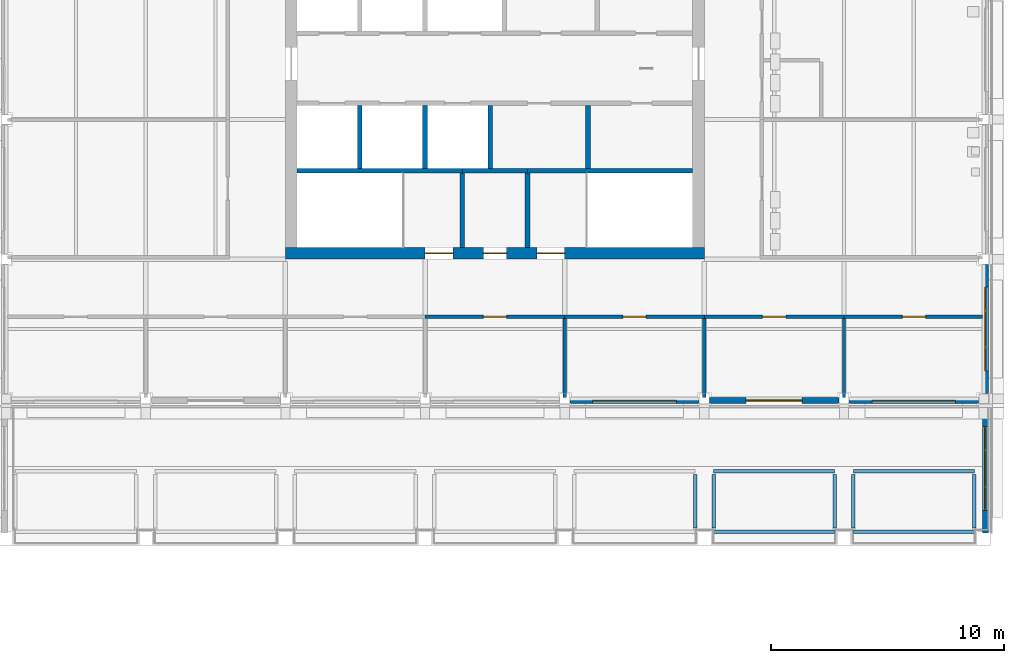
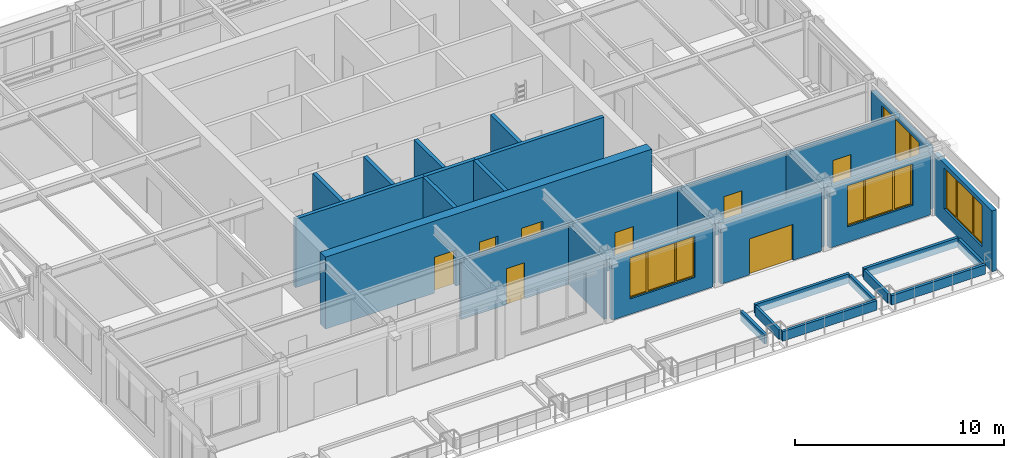
# One storey, part 59 of 82: 31 walls, 8 doors, 4 windows, 12 openings.
"""IFC4 building model written with IfcOpenShell, lengths in metres."""

import ifcopenshell
import ifcopenshell.guid

model = None  # the IFC model being written
_history = None  # IfcOwnerHistory: only IFC2X3 demands one
_inside = {}  # id of a spatial element -> (the spatial element, [elements in it])
_under = {}  # id of a project, library or spatial element -> (it, [spatial elements below it])
_declared = {}  # id of a project -> (the project, [libraries it declares])
_typed = {}  # id of a type object -> (the type object, [elements of that type])
_made_of = {}  # id of a material, layer set ... -> (it, [elements and type objects made of it])


def new_model(schema):
    """Start an empty IFC model of exactly this schema.

    Asked for "IFC4X3", IfcOpenShell would pick the latest addendum, in which some entities
    have other attributes; the version numbers below select the first issue.
    IFC2X3 requires an IfcOwnerHistory on every rooted entity: one is made here for all.
    """
    global model, _history
    if schema == "IFC4X3":
        model = ifcopenshell.file(schema_version=(4, 3, 0, 0))
    else:
        model = ifcopenshell.file(schema=schema)
    _inside.clear()
    _under.clear()
    _declared.clear()
    _typed.clear()
    _made_of.clear()
    _history = None
    if model.schema == "IFC2X3":
        org = make("IfcOrganization", Name="unknown")
        user = make(
            "IfcPersonAndOrganization",
            ThePerson=make("IfcPerson", FamilyName="unknown"),
            TheOrganization=org,
        )
        app = make(
            "IfcApplication",
            ApplicationDeveloper=org,
            Version="unknown",
            ApplicationFullName="unknown",
            ApplicationIdentifier="unknown",
        )
        _history = make(
            "IfcOwnerHistory",
            OwningUser=user,
            OwningApplication=app,
            ChangeAction="ADDED",
            CreationDate=0,
        )
    return model


def make(cls, **values):
    """One entity of the class cls with the attributes given. An attribute that is None is left unset."""
    return model.create_entity(
        cls, **{name: value for name, value in values.items() if value is not None}
    )


def rooted(cls, **values):
    """An entity with a GlobalId (a new one), such as an element, a storey or a relation."""
    return make(cls, GlobalId=ifcopenshell.guid.new(), OwnerHistory=_history, **values)


def si_unit(unit_type, name, prefix=None):
    """IfcSIUnit, for example si_unit("LENGTHUNIT", "METRE", prefix="MILLI")."""
    return make("IfcSIUnit", UnitType=unit_type, Prefix=prefix, Name=name)


def assignment(units):
    """IfcUnitAssignment: the units of a project."""
    return None if units is None else make("IfcUnitAssignment", Units=units)


def point(xyz):
    """IfcCartesianPoint."""
    return None if xyz is None else make("IfcCartesianPoint", Coordinates=xyz)


def direction(xyz):
    """IfcDirection."""
    return None if xyz is None else make("IfcDirection", DirectionRatios=xyz)


def frame(location, z_axis=None, x_axis=None):
    """IfcAxis2Placement3D, a coordinate frame: its origin and axes. An axis left out is left unset."""
    return make(
        "IfcAxis2Placement3D",
        Location=point(location),
        Axis=direction(z_axis),
        RefDirection=direction(x_axis),
    )


def frame_2d(location, x_axis=None):
    """IfcAxis2Placement2D, a coordinate frame in the plane: its origin and x axis."""
    return make(
        "IfcAxis2Placement2D", Location=point(location), RefDirection=direction(x_axis)
    )


def origin():
    """The frame at (0, 0, 0) with its axes left unset."""
    return frame((0.0, 0.0, 0.0))


def place(relative_to, where):
    """IfcLocalPlacement: puts the frame where relative to a parent placement (None: the world)."""
    return make(
        "IfcLocalPlacement", PlacementRelTo=relative_to, RelativePlacement=where
    )


def context(
    kind, dimensions, precision=None, world=None, true_north=None, identifier=None
):
    """IfcGeometricRepresentationContext, for example the 3D "Model" context."""
    return make(
        "IfcGeometricRepresentationContext",
        ContextIdentifier=identifier,
        ContextType=kind,
        CoordinateSpaceDimension=dimensions,
        Precision=precision,
        WorldCoordinateSystem=world,
        TrueNorth=true_north,
    )


def subcontext(parent, identifier, kind, view, scale=None):
    """IfcGeometricRepresentationSubContext, for example "Body" below "Model"."""
    return make(
        "IfcGeometricRepresentationSubContext",
        ContextIdentifier=identifier,
        ContextType=kind,
        ParentContext=parent,
        TargetScale=scale,
        TargetView=view,
    )


def project(units=None, contexts=None):
    """IfcProject with its units and contexts."""
    return rooted(
        "IfcProject",
        Name="project",
        RepresentationContexts=contexts,
        UnitsInContext=assignment(units),
    )


def spatial(cls, under=None, at=None, **own):
    """A site, building, storey or space (cls), placed at a placement, below another one or the project."""
    s = rooted(cls, ObjectPlacement=at, **own)
    if under is not None:
        _under.setdefault(under.id(), (under, []))[1].append(s)
    return s


def polyline(points):
    """IfcPolyline through the points."""
    return make("IfcPolyline", Points=[point(p) for p in points])


def profile(cls, at=None, kind="AREA", **sizes):
    """A parametric profile (cls). Its sizes go by their IFC names, for example OverallWidth=200.0."""
    return make(cls, ProfileType=kind, Position=at, **sizes)


def rectangle(**sizes):
    """IfcRectangleProfileDef."""
    return profile("IfcRectangleProfileDef", **sizes)


def outline(outer, holes=None, kind="AREA"):
    """IfcArbitraryClosedProfileDef: a profile drawn as a closed curve; with holes, ...WithVoids."""
    if holes is None:
        return make("IfcArbitraryClosedProfileDef", ProfileType=kind, OuterCurve=outer)
    return make(
        "IfcArbitraryProfileDefWithVoids",
        ProfileType=kind,
        OuterCurve=outer,
        InnerCurves=holes,
    )


def extrude(swept, where, along, depth):
    """IfcExtrudedAreaSolid: the profile swept, set in the frame where, extruded along a direction by depth."""
    return make(
        "IfcExtrudedAreaSolid",
        SweptArea=swept,
        Position=where,
        ExtrudedDirection=direction(along),
        Depth=depth,
    )


def shape(context_of_items, identifier, shape_type, items):
    """IfcShapeRepresentation: the items that make up one representation, for example the "Body"."""
    return make(
        "IfcShapeRepresentation",
        ContextOfItems=context_of_items,
        RepresentationIdentifier=identifier,
        RepresentationType=shape_type,
        Items=items,
    )


def material(Name=None, Category=None):
    """IfcMaterial."""
    return make("IfcMaterial", Name=Name, Category=Category)


def layer(
    of_material, thickness, ventilated=None, Name=None, Category=None, Priority=None
):
    """IfcMaterialLayer: one layer of a wall or slab, of a material (None: an air gap)."""
    return make(
        "IfcMaterialLayer",
        Material=of_material,
        LayerThickness=thickness,
        IsVentilated=ventilated,
        Name=Name,
        Category=Category,
        Priority=Priority,
    )


def layer_set(layers, Name=None):
    """IfcMaterialLayerSet."""
    return make("IfcMaterialLayerSet", MaterialLayers=layers, LayerSetName=Name)


def made_of(thing, what):
    """Note that an element or type object is made of a material, layer set ...; save() writes the relation."""
    if what is not None:
        _made_of.setdefault(what.id(), (what, []))[1].append(thing)
    return thing


def type_object(cls, material=None, **own):
    """A type object (cls), such as IfcWallType, which elements share."""
    return made_of(rooted(cls, **own), material)


def element(
    cls,
    number,
    at=None,
    inside=None,
    cuts=None,
    type_object=None,
    material=None,
    context=None,
    identifier="Body",
    shape_type=None,
    held_by="IfcProductDefinitionShape",
    body=None,
    shapes=None,
    **own,
):
    """One element of the class cls, such as IfcWall. Its Tag is "e" and its number.

    at: its placement. inside: the storey or other place that contains it. cuts: it is an
    opening in that element (IfcRelVoidsElement). A single representation is given by context,
    identifier, shape_type and body (its items); several are given by shapes. held_by: the class
    of the entity that holds the representations. save() writes the other relations.
    """
    e = rooted(cls, Tag="e%d" % number, ObjectPlacement=at, **own)
    if body is not None:
        shapes = [shape(context, identifier, shape_type, body)]
    if shapes is not None:
        e.Representation = make(held_by, Representations=shapes)
    if inside is not None:
        _inside.setdefault(inside.id(), (inside, []))[1].append(e)
    if cuts is not None:
        rooted(
            "IfcRelVoidsElement", RelatingBuildingElement=cuts, RelatedOpeningElement=e
        )
    if type_object is not None:
        _typed.setdefault(type_object.id(), (type_object, []))[1].append(e)
    return made_of(e, material)


def fill(opening, filler):
    """IfcRelFillsElement: the door or window that sits in an opening."""
    return rooted(
        "IfcRelFillsElement",
        RelatingOpeningElement=opening,
        RelatedBuildingElement=filler,
    )


def aggregate(whole, parts):
    """IfcRelAggregates: a whole, such as a stair, and the parts it consists of."""
    return rooted("IfcRelAggregates", RelatingObject=whole, RelatedObjects=parts)


def save(model, path):
    """Write the relations noted so far, then the file.

    IfcRelAggregates (storeys below a building ...), IfcRelContainedInSpatialStructure (elements
    in a storey), IfcRelDefinesByType, IfcRelAssociatesMaterial and IfcRelDeclares: one each for
    every whole, place, type object, material and project.
    """
    for whole, parts in _under.values():
        aggregate(whole, parts)
    for where, things in _inside.values():
        rooted(
            "IfcRelContainedInSpatialStructure",
            RelatedElements=things,
            RelatingStructure=where,
        )
    for kind, things in _typed.values():
        rooted("IfcRelDefinesByType", RelatedObjects=things, RelatingType=kind)
    for what, things in _made_of.values():
        rooted("IfcRelAssociatesMaterial", RelatedObjects=things, RelatingMaterial=what)
    for by, libraries in _declared.values():
        rooted("IfcRelDeclares", RelatingContext=by, RelatedDefinitions=libraries)
    model.write(path)


model = new_model("IFC4")

# Units and contexts
model_context = context("Model", 3, precision=1e-05, world=origin(), true_north=direction((0.0, 1.0)))
body_context = subcontext(model_context, "Body", "Model", "MODEL_VIEW")
ifc_project = project(units=[si_unit("LENGTHUNIT", "METRE"), si_unit("AREAUNIT", "SQUARE_METRE"), si_unit("VOLUMEUNIT", "CUBIC_METRE"), si_unit("PLANEANGLEUNIT", "RADIAN"), si_unit("MASSUNIT", "GRAM", prefix="KILO")], contexts=[model_context])

# Site, building, storey
site_placement = place(None, origin())
site = spatial("IfcSite", under=ifc_project, at=site_placement, CompositionType="ELEMENT")
building_placement = place(site_placement, origin())
building = spatial("IfcBuilding", under=site, at=building_placement, Name="Aravalli Gate Trade Fair Centre", CompositionType="ELEMENT")
storey_placement = place(building_placement, frame((0.0, 0.0, 19.199951171875)))
storey = spatial("IfcBuildingStorey", under=building, at=storey_placement, Name="L04", CompositionType="ELEMENT", Elevation=19.199951171875)

# Walls
ifc_material_1 = material(Name="Concrete M30", Category="concrete")
ifc_layer_1 = layer(ifc_material_1, 0.199951171875)
ifc_layer_set_1 = layer_set([ifc_layer_1], Name="Concrete M30")
wall_type_1 = type_object("IfcWallType", Name="Wing core internal wall 200 (EI 120, lift shaft)", PredefinedType="SOLIDWALL", material=ifc_layer_set_1)
wall_1_placement = place(storey_placement, frame((172.5, 106.800048828125, 0.0), z_axis=(0.0, 0.0, 1.0), x_axis=(1.0, 0.0, 0.0)))
element("IfcWall", 1, at=wall_1_placement, inside=storey, type_object=wall_type_1, Name="Core wall S-REAR-W L04", PredefinedType="SOLIDWALL", context=body_context, shape_type="SweptSolid", body=[
    extrude(rectangle(XDim=7.10009765625, YDim=0.199951171875, at=frame_2d((3.550048828125, 0.0))), origin(), (0.0, 0.0, 1.0), 4.0),
])
wall_2_placement = place(storey_placement, frame((179.60009765625, 106.800048828125, 0.0), z_axis=(0.0, 0.0, 1.0), x_axis=(1.0, 0.0, 0.0)))
element("IfcWall", 2, at=wall_2_placement, inside=storey, type_object=wall_type_1, Name="Core wall S-REAR-M L04", PredefinedType="SOLIDWALL", context=body_context, shape_type="SweptSolid", body=[
    extrude(rectangle(XDim=2.7998046875, YDim=0.199951171875, at=frame_2d((1.39990234375, 0.0))), origin(), (0.0, 0.0, 1.0), 4.0),
])
wall_3_placement = place(storey_placement, frame((182.39990234375, 106.800048828125, 0.0), z_axis=(0.0, 0.0, 1.0), x_axis=(1.0, 0.0, 0.0)))
element("IfcWall", 3, at=wall_3_placement, inside=storey, type_object=wall_type_1, Name="Core wall S-REAR-E L04", PredefinedType="SOLIDWALL", context=body_context, shape_type="SweptSolid", body=[
    extrude(rectangle(XDim=7.10009765625, YDim=0.199951171875, at=frame_2d((3.550048828125, 0.0))), origin(), (0.0, 0.0, 1.0), 4.0),
])
for number, where, z_axis, x_axis, name in (
    (4, (175.199951171875, 106.89990234375, 0.0), (0.0, 0.0, 1.0), (0.0, 1.0, 0.0), "Core wall SB-3.2 L04"),
    (5, (178.0, 106.89990234375, 0.0), (0.0, 0.0, 1.0), (0.0, 1.0, 0.0), "Core wall SB-6.0 L04"),
    (6, (180.800048828125, 106.89990234375, 0.0), (0.0, 0.0, 1.0), (0.0, 1.0, 0.0), "Core wall SB-8.8 L04"),
):
    element("IfcWall", number, at=place(storey_placement, frame(where, z_axis=z_axis, x_axis=x_axis)), inside=storey, type_object=wall_type_1, Name=name, PredefinedType="SOLIDWALL", context=body_context, shape_type="SweptSolid", body=[
        extrude(rectangle(XDim=2.7001953125, YDim=0.199951171875, at=frame_2d((1.35009765625, 0.0))), origin(), (0.0, 0.0, 1.0), 4.0),
    ])
ifc_material_2 = material(Name="Concrete block masonry", Category="masonry")
ifc_layer_2 = layer(ifc_material_2, 0.199951171875)
ifc_layer_set_2 = layer_set([ifc_layer_2], Name="Concrete block masonry")
wall_type_2 = type_object("IfcWallType", Name="Wing core internal wall 200 (EI 120, riser shaft)", PredefinedType="SOLIDWALL", material=ifc_layer_set_2)
wall_4_placement = place(storey_placement, frame((185.0, 106.89990234375, 0.0), z_axis=(0.0, 0.0, 1.0), x_axis=(0.0, 1.0, 0.0)))
element("IfcWall", 7, at=wall_4_placement, inside=storey, type_object=wall_type_2, Name="Core wall SB-13 L04", PredefinedType="SOLIDWALL", context=body_context, shape_type="SweptSolid", body=[
    extrude(rectangle(XDim=2.7001953125, YDim=0.199951171875, at=frame_2d((1.35009765625, 0.0))), origin(), (0.0, 0.0, 1.0), 4.0),
])
ifc_layer_3 = layer(ifc_material_1, 0.199951171875)
ifc_layer_set_3 = layer_set([ifc_layer_3], Name="Concrete M30")
wall_type_3 = type_object("IfcWallType", Name="Wing core internal wall 200 (EI 120, stair enclosure)", PredefinedType="SOLIDWALL", material=ifc_layer_set_3)
for number, where, z_axis, x_axis, name in (
    (8, (179.60009765625, 103.5, 0.0), (0.0, 0.0, 1.0), (0.0, 1.0, 0.0), "Core wall S-AB L04"),
    (9, (182.39990234375, 103.5, 0.0), (0.0, 0.0, 1.0), (0.0, 1.0, 0.0), "Core wall S-BC L04"),
):
    element("IfcWall", number, at=place(storey_placement, frame(where, z_axis=z_axis, x_axis=x_axis)), inside=storey, type_object=wall_type_3, Name=name, PredefinedType="SOLIDWALL", context=body_context, shape_type="SweptSolid", body=[
        extrude(rectangle(XDim=3.199951171875, YDim=0.199951171875, at=frame_2d((1.60009765625, 0.0))), origin(), (0.0, 0.0, 1.0), 4.0),
    ])

# Wall, openings, doors
ifc_material_3 = material(Name="Concrete M50", Category="concrete")
ifc_layer_4 = layer(ifc_material_3, 0.5)
ifc_layer_set_4 = layer_set([ifc_layer_4], Name="Concrete M50")
wall_type_4 = type_object("IfcWallType", Name="Wing core shear wall 500", PredefinedType="SHEAR", material=ifc_layer_set_4)
wall_5_placement = place(storey_placement, frame((172.0, 103.25, 0.0), z_axis=(0.0, 0.0, 1.0), x_axis=(1.0, 0.0, 0.0)))
wall_5 = element("IfcWall", 10, at=wall_5_placement, inside=storey, type_object=wall_type_4, Name="Core wall S L04", PredefinedType="SHEAR", context=body_context, shape_type="SweptSolid", body=[
    extrude(rectangle(XDim=18.0, YDim=0.5, at=frame_2d((9.0, 0.0))), origin(), (0.0, 0.0, 1.0), 4.199951171875),
])
opening_1_placement = place(wall_5_placement, frame((8.5, 0.0, 0.0)))
opening_1 = element("IfcOpeningElement", 11, at=opening_1_placement, cuts=wall_5, Name="Opening T-L04-102", PredefinedType="OPENING", context=body_context, shape_type="SweptSolid", body=[
    extrude(rectangle(XDim=1.0, YDim=2.10009765625, at=frame_2d((0.5, 1.050048828125))), frame((0.0, 0.260009765625, 0.0), z_axis=(0.0, -1.0, 0.0), x_axis=(1.0, 0.0, 0.0)), (0.0, 0.0, 1.0), 0.52001953125),
])
opening_2_placement = place(wall_5_placement, frame((6.0, 0.0, 0.0)))
opening_2 = element("IfcOpeningElement", 12, at=opening_2_placement, cuts=wall_5, Name="Opening T-L04-101", PredefinedType="OPENING", context=body_context, shape_type="SweptSolid", body=[
    extrude(rectangle(XDim=1.199951171875, YDim=2.10009765625, at=frame_2d((0.60009765625, 1.050048828125))), frame((0.0, 0.260009765625, 0.0), z_axis=(0.0, -1.0, 0.0), x_axis=(1.0, 0.0, 0.0)), (0.0, 0.0, 1.0), 0.52001953125),
])
opening_3_placement = place(wall_5_placement, frame((10.800048828125, 0.0, 0.0)))
opening_3 = element("IfcOpeningElement", 13, at=opening_3_placement, cuts=wall_5, Name="Opening T-L04-103", PredefinedType="OPENING", context=body_context, shape_type="SweptSolid", body=[
    extrude(rectangle(XDim=1.199951171875, YDim=2.10009765625, at=frame_2d((0.60009765625, 1.050048828125))), frame((0.0, 0.260009765625, 0.0), z_axis=(0.0, -1.0, 0.0), x_axis=(1.0, 0.0, 0.0)), (0.0, 0.0, 1.0), 0.52001953125),
])
ifc_material_4 = material(Name="Steel, fire rated", Category="steel")
door_type_1 = type_object("IfcDoorType", Name="Wing fire door FD120 1000 x 2100", OperationType="SINGLE_SWING_LEFT", PredefinedType="DOOR", material=ifc_material_4)
door_1_placement = place(opening_1_placement, origin())
door_1 = element("IfcDoor", 14, at=door_1_placement, inside=storey, type_object=door_type_1, Name="Core door T-L04-102", OperationType="SINGLE_SWING_LEFT", OverallHeight=2.10009765625, OverallWidth=1.0, PredefinedType="DOOR", context=body_context, shape_type="SweptSolid", body=[
    extrude(rectangle(XDim=1.0, YDim=2.10009765625, at=frame_2d((0.5, 1.050048828125))), frame((0.0, 0.02490234375, 0.0), z_axis=(0.0, -1.0, 0.0), x_axis=(1.0, 0.0, 0.0)), (0.0, 0.0, 1.0), 0.050048828125),
])
fill(opening_1, door_1)
door_type_2 = type_object("IfcDoorType", Name="Wing fire door FD120 1200 x 2100", OperationType="SINGLE_SWING_LEFT", PredefinedType="DOOR", material=ifc_material_4)
door_2_placement = place(opening_2_placement, origin())
door_2 = element("IfcDoor", 15, at=door_2_placement, inside=storey, type_object=door_type_2, Name="Core door T-L04-101", OperationType="SINGLE_SWING_RIGHT", OverallHeight=2.10009765625, OverallWidth=1.199951171875, PredefinedType="DOOR", context=body_context, shape_type="SweptSolid", body=[
    extrude(rectangle(XDim=1.199951171875, YDim=2.10009765625, at=frame_2d((0.60009765625, 1.050048828125))), frame((0.0, 0.02490234375, 0.0), z_axis=(0.0, -1.0, 0.0), x_axis=(1.0, 0.0, 0.0)), (0.0, 0.0, 1.0), 0.050048828125),
])
fill(opening_2, door_2)
door_3_placement = place(opening_3_placement, origin())
door_3 = element("IfcDoor", 16, at=door_3_placement, inside=storey, type_object=door_type_2, Name="Core door T-L04-103", OperationType="SINGLE_SWING_LEFT", OverallHeight=2.10009765625, OverallWidth=1.199951171875, PredefinedType="DOOR", context=body_context, shape_type="SweptSolid", body=[
    extrude(rectangle(XDim=1.199951171875, YDim=2.10009765625, at=frame_2d((0.60009765625, 1.050048828125))), frame((0.0, 0.02490234375, 0.0), z_axis=(0.0, -1.0, 0.0), x_axis=(1.0, 0.0, 0.0)), (0.0, 0.0, 1.0), 0.050048828125),
])
fill(opening_3, door_3)

# Wall, opening, door
ifc_material_5 = material(Name="Blockwork with fire-rated lining", Category="masonry")
ifc_layer_5 = layer(ifc_material_5, 0.14990234375)
ifc_layer_set_5 = layer_set([ifc_layer_5], Name="Blockwork with fire-rated lining")
wall_type_5 = type_object("IfcWallType", Name="Wing partition 150 (EI 60, corridor wall)", PredefinedType="PARTITIONING", material=ifc_layer_set_5)
wall_6_placement = place(storey_placement, frame((178.0, 100.52490234375, 0.0), z_axis=(0.0, 0.0, 1.0), x_axis=(1.0, 0.0, 0.0)))
wall_6 = element("IfcWall", 17, at=wall_6_placement, inside=storey, type_object=wall_type_5, Name="Partition SW4 L04", PredefinedType="PARTITIONING", context=body_context, shape_type="SweptSolid", body=[
    extrude(rectangle(XDim=6.0, YDim=0.14990234375, at=frame_2d((3.0, 0.0))), origin(), (0.0, 0.0, 1.0), 3.449951171875),
])
opening_4_placement = place(wall_6_placement, frame((2.5, 0.0, 0.0)))
opening_4 = element("IfcOpeningElement", 18, at=opening_4_placement, cuts=wall_6, Name="Opening T-L04-144", PredefinedType="OPENING", context=body_context, shape_type="SweptSolid", body=[
    extrude(rectangle(XDim=1.0, YDim=2.10009765625, at=frame_2d((0.5, 1.050048828125))), frame((0.0, 0.0849609375, 0.0), z_axis=(0.0, -1.0, 0.0), x_axis=(1.0, 0.0, 0.0)), (0.0, 0.0, 1.0), 0.169921875),
])
door_type_3 = type_object("IfcDoorType", Name="Wing fire door FD60 1000 x 2100", OperationType="SINGLE_SWING_LEFT", PredefinedType="DOOR", material=ifc_material_4)
door_4_placement = place(opening_4_placement, frame((1.0, 0.0, 0.0), z_axis=(0.0, 0.0, 1.0), x_axis=(-1.0, 0.0, 0.0)))
door_4 = element("IfcDoor", 19, at=door_4_placement, inside=storey, type_object=door_type_3, Name="Door T-L04-144", OperationType="SINGLE_SWING_LEFT", OverallHeight=2.10009765625, OverallWidth=1.0, PredefinedType="DOOR", context=body_context, shape_type="SweptSolid", body=[
    extrude(rectangle(XDim=1.0, YDim=2.10009765625, at=frame_2d((0.5, 1.050048828125))), frame((0.0, 0.02490234375, 0.0), z_axis=(0.0, -1.0, 0.0), x_axis=(1.0, 0.0, 0.0)), (0.0, 0.0, 1.0), 0.050048828125),
])
fill(opening_4, door_4)

# Wall
wall_7_placement = place(storey_placement, frame((184.0, 97.050048828125, 0.0), z_axis=(0.0, 0.0, 1.0), x_axis=(0.0, 1.0, 0.0)))
element("IfcWall", 20, at=wall_7_placement, inside=storey, type_object=wall_type_5, Name="Partition SP4 L04", PredefinedType="PARTITIONING", context=body_context, shape_type="SweptSolid", body=[
    extrude(rectangle(XDim=3.39990234375, YDim=0.14990234375, at=frame_2d((1.699951171875, 0.0))), origin(), (0.0, 0.0, 1.0), 3.449951171875),
])

# Wall, opening, door
wall_8_placement = place(storey_placement, frame((184.0, 100.52490234375, 0.0), z_axis=(0.0, 0.0, 1.0), x_axis=(1.0, 0.0, 0.0)))
wall_8 = element("IfcWall", 21, at=wall_8_placement, inside=storey, type_object=wall_type_5, Name="Partition SW5 L04", PredefinedType="PARTITIONING", context=body_context, shape_type="SweptSolid", body=[
    extrude(rectangle(XDim=6.0, YDim=0.14990234375, at=frame_2d((3.0, 0.0))), origin(), (0.0, 0.0, 1.0), 3.449951171875),
])
opening_5_placement = place(wall_8_placement, frame((2.5, 0.0, 0.0)))
opening_5 = element("IfcOpeningElement", 22, at=opening_5_placement, cuts=wall_8, Name="Opening T-L04-145", PredefinedType="OPENING", context=body_context, shape_type="SweptSolid", body=[
    extrude(rectangle(XDim=1.0, YDim=2.10009765625, at=frame_2d((0.5, 1.050048828125))), frame((0.0, 0.0849609375, 0.0), z_axis=(0.0, -1.0, 0.0), x_axis=(1.0, 0.0, 0.0)), (0.0, 0.0, 1.0), 0.169921875),
])
door_5_placement = place(opening_5_placement, frame((1.0, 0.0, 0.0), z_axis=(0.0, 0.0, 1.0), x_axis=(-1.0, 0.0, 0.0)))
door_5 = element("IfcDoor", 23, at=door_5_placement, inside=storey, type_object=door_type_3, Name="Door T-L04-145", OperationType="SINGLE_SWING_RIGHT", OverallHeight=2.10009765625, OverallWidth=1.0, PredefinedType="DOOR", context=body_context, shape_type="SweptSolid", body=[
    extrude(rectangle(XDim=1.0, YDim=2.10009765625, at=frame_2d((0.5, 1.050048828125))), frame((0.0, 0.02490234375, 0.0), z_axis=(0.0, -1.0, 0.0), x_axis=(1.0, 0.0, 0.0)), (0.0, 0.0, 1.0), 0.050048828125),
])
fill(opening_5, door_5)

# Wall
wall_9_placement = place(storey_placement, frame((190.0, 97.050048828125, 0.0), z_axis=(0.0, 0.0, 1.0), x_axis=(0.0, 1.0, 0.0)))
element("IfcWall", 24, at=wall_9_placement, inside=storey, type_object=wall_type_5, Name="Partition SP5 L04", PredefinedType="PARTITIONING", context=body_context, shape_type="SweptSolid", body=[
    extrude(rectangle(XDim=3.39990234375, YDim=0.14990234375, at=frame_2d((1.699951171875, 0.0))), origin(), (0.0, 0.0, 1.0), 3.449951171875),
])

# Wall, opening, door
wall_10_placement = place(storey_placement, frame((190.0, 100.52490234375, 0.0), z_axis=(0.0, 0.0, 1.0), x_axis=(1.0, 0.0, 0.0)))
wall_10 = element("IfcWall", 25, at=wall_10_placement, inside=storey, type_object=wall_type_5, Name="Partition SW6 L04", PredefinedType="PARTITIONING", context=body_context, shape_type="SweptSolid", body=[
    extrude(rectangle(XDim=6.0, YDim=0.14990234375, at=frame_2d((3.0, 0.0))), origin(), (0.0, 0.0, 1.0), 3.449951171875),
])
opening_6_placement = place(wall_10_placement, frame((2.5, 0.0, 0.0)))
opening_6 = element("IfcOpeningElement", 26, at=opening_6_placement, cuts=wall_10, Name="Opening T-L04-146", PredefinedType="OPENING", context=body_context, shape_type="SweptSolid", body=[
    extrude(rectangle(XDim=1.0, YDim=2.10009765625, at=frame_2d((0.5, 1.050048828125))), frame((0.0, 0.0849609375, 0.0), z_axis=(0.0, -1.0, 0.0), x_axis=(1.0, 0.0, 0.0)), (0.0, 0.0, 1.0), 0.169921875),
])
door_6_placement = place(opening_6_placement, frame((1.0, 0.0, 0.0), z_axis=(0.0, 0.0, 1.0), x_axis=(-1.0, 0.0, 0.0)))
door_6 = element("IfcDoor", 27, at=door_6_placement, inside=storey, type_object=door_type_3, Name="Door T-L04-146", OperationType="SINGLE_SWING_LEFT", OverallHeight=2.10009765625, OverallWidth=1.0, PredefinedType="DOOR", context=body_context, shape_type="SweptSolid", body=[
    extrude(rectangle(XDim=1.0, YDim=2.10009765625, at=frame_2d((0.5, 1.050048828125))), frame((0.0, 0.02490234375, 0.0), z_axis=(0.0, -1.0, 0.0), x_axis=(1.0, 0.0, 0.0)), (0.0, 0.0, 1.0), 0.050048828125),
])
fill(opening_6, door_6)

# Wall
wall_11_placement = place(storey_placement, frame((196.0, 97.050048828125, 0.0), z_axis=(0.0, 0.0, 1.0), x_axis=(0.0, 1.0, 0.0)))
element("IfcWall", 28, at=wall_11_placement, inside=storey, type_object=wall_type_5, Name="Partition SP6 L04", PredefinedType="PARTITIONING", context=body_context, shape_type="SweptSolid", body=[
    extrude(rectangle(XDim=3.39990234375, YDim=0.14990234375, at=frame_2d((1.699951171875, 0.0))), origin(), (0.0, 0.0, 1.0), 3.449951171875),
])

# Wall, opening, door
wall_12_placement = place(storey_placement, frame((196.0, 100.52490234375, 0.0), z_axis=(0.0, 0.0, 1.0), x_axis=(1.0, 0.0, 0.0)))
wall_12 = element("IfcWall", 29, at=wall_12_placement, inside=storey, type_object=wall_type_5, Name="Partition SW7 L04", PredefinedType="PARTITIONING", context=body_context, shape_type="SweptSolid", body=[
    extrude(rectangle(XDim=5.949951171875, YDim=0.14990234375, at=frame_2d((2.97509765625, 0.0))), origin(), (0.0, 0.0, 1.0), 3.449951171875),
])
opening_7_placement = place(wall_12_placement, frame((2.512451171875, 0.0, 0.0)))
opening_7 = element("IfcOpeningElement", 30, at=opening_7_placement, cuts=wall_12, Name="Opening T-L04-147", PredefinedType="OPENING", context=body_context, shape_type="SweptSolid", body=[
    extrude(rectangle(XDim=1.0, YDim=2.10009765625, at=frame_2d((0.5, 1.050048828125))), frame((0.0, 0.0849609375, 0.0), z_axis=(0.0, -1.0, 0.0), x_axis=(1.0, 0.0, 0.0)), (0.0, 0.0, 1.0), 0.169921875),
])
door_7_placement = place(opening_7_placement, frame((1.0, 0.0, 0.0), z_axis=(0.0, 0.0, 1.0), x_axis=(-1.0, 0.0, 0.0)))
door_7 = element("IfcDoor", 31, at=door_7_placement, inside=storey, type_object=door_type_3, Name="Door T-L04-147", OperationType="SINGLE_SWING_RIGHT", OverallHeight=2.10009765625, OverallWidth=1.0, PredefinedType="DOOR", context=body_context, shape_type="SweptSolid", body=[
    extrude(rectangle(XDim=1.0, YDim=2.10009765625, at=frame_2d((0.5, 1.050048828125))), frame((0.0, 0.02490234375, 0.0), z_axis=(0.0, -1.0, 0.0), x_axis=(1.0, 0.0, 0.0)), (0.0, 0.0, 1.0), 0.050048828125),
])
fill(opening_7, door_7)

# Walls
ifc_layer_6 = layer(ifc_material_1, 0.14990234375)
ifc_layer_set_6 = layer_set([ifc_layer_6], Name="Concrete M30")
wall_type_6 = type_object("IfcWallType", Name="Wing planter wall 150", PredefinedType="SOLIDWALL", material=ifc_layer_set_6)
wall_13_placement = place(storey_placement, frame((189.60009765625, 91.445068359375, 0.0), z_axis=(0.0, 0.0, 1.0), x_axis=(0.0, 1.0, 0.0)))
element("IfcWall", 32, at=wall_13_placement, inside=storey, type_object=wall_type_6, Name="Planter wall L04 5E", PredefinedType="SOLIDWALL", context=body_context, shape_type="SweptSolid", body=[
    extrude(rectangle(XDim=2.300048828125, YDim=0.14990234375, at=frame_2d((1.14990234375, 0.0))), origin(), (0.0, 0.0, 1.0), 0.550048828125),
])
for number, where, z_axis, x_axis, name in (
    (33, (190.39990234375, 91.294921875, 0.0), (0.0, 0.0, 1.0), (1.0, 0.0, 0.0), "Planter wall L04 6S"),
    (34, (190.39990234375, 93.89501953125, 0.0), (0.0, 0.0, 1.0), (1.0, 0.0, 0.0), "Planter wall L04 6N"),
):
    element("IfcWall", number, at=place(storey_placement, frame(where, z_axis=z_axis, x_axis=x_axis)), inside=storey, type_object=wall_type_6, Name=name, PredefinedType="SOLIDWALL", context=body_context, shape_type="SweptSolid", body=[
        extrude(rectangle(XDim=5.2001953125, YDim=0.14990234375, at=frame_2d((2.60009765625, 0.0))), origin(), (0.0, 0.0, 1.0), 0.550048828125),
    ])
for number, where, z_axis, x_axis, name in (
    (35, (190.39990234375, 91.445068359375, 0.0), (0.0, 0.0, 1.0), (0.0, 1.0, 0.0), "Planter wall L04 6W"),
    (36, (195.60009765625, 91.445068359375, 0.0), (0.0, 0.0, 1.0), (0.0, 1.0, 0.0), "Planter wall L04 6E"),
):
    element("IfcWall", number, at=place(storey_placement, frame(where, z_axis=z_axis, x_axis=x_axis)), inside=storey, type_object=wall_type_6, Name=name, PredefinedType="SOLIDWALL", context=body_context, shape_type="SweptSolid", body=[
        extrude(rectangle(XDim=2.300048828125, YDim=0.14990234375, at=frame_2d((1.14990234375, 0.0))), origin(), (0.0, 0.0, 1.0), 0.550048828125),
    ])
for number, where, z_axis, x_axis, name in (
    (37, (196.39990234375, 91.294921875, 0.0), (0.0, 0.0, 1.0), (1.0, 0.0, 0.0), "Planter wall L04 7S"),
    (38, (196.39990234375, 93.89501953125, 0.0), (0.0, 0.0, 1.0), (1.0, 0.0, 0.0), "Planter wall L04 7N"),
):
    element("IfcWall", number, at=place(storey_placement, frame(where, z_axis=z_axis, x_axis=x_axis)), inside=storey, type_object=wall_type_6, Name=name, PredefinedType="SOLIDWALL", context=body_context, shape_type="SweptSolid", body=[
        extrude(rectangle(XDim=5.2001953125, YDim=0.14990234375, at=frame_2d((2.60009765625, 0.0))), origin(), (0.0, 0.0, 1.0), 0.550048828125),
    ])
for number, where, z_axis, x_axis, name in (
    (39, (196.39990234375, 91.445068359375, 0.0), (0.0, 0.0, 1.0), (0.0, 1.0, 0.0), "Planter wall L04 7W"),
    (40, (201.60009765625, 91.445068359375, 0.0), (0.0, 0.0, 1.0), (0.0, 1.0, 0.0), "Planter wall L04 7E"),
):
    element("IfcWall", number, at=place(storey_placement, frame(where, z_axis=z_axis, x_axis=x_axis)), inside=storey, type_object=wall_type_6, Name=name, PredefinedType="SOLIDWALL", context=body_context, shape_type="SweptSolid", body=[
        extrude(rectangle(XDim=2.300048828125, YDim=0.14990234375, at=frame_2d((1.14990234375, 0.0))), origin(), (0.0, 0.0, 1.0), 0.550048828125),
    ])

# Wall, opening, window
ifc_layer_7 = layer(ifc_material_2, 0.2099609375, Name="Block masonry")
ifc_material_6 = material(Name="Terracotta cladding", Category="masonry")
ifc_layer_8 = layer(ifc_material_6, 0.0400390625, Name="Terracotta cladding")
ifc_layer_set_7 = layer_set([ifc_layer_7, ifc_layer_8], Name="Wing terracotta clad infill wall 250")
wall_type_7 = type_object("IfcWallType", Name="Wing terracotta clad infill wall 250", PredefinedType="SOLIDWALL", material=ifc_layer_set_7)
wall_14_placement = place(storey_placement, frame((184.22509765625, 96.925048828125, 0.0), z_axis=(0.0, 0.0, 1.0), x_axis=(1.0, 0.0, 0.0)))
wall_14 = element("IfcWall", 41, at=wall_14_placement, inside=storey, type_object=wall_type_7, Name="Facade wall S4 L04", PredefinedType="SOLIDWALL", context=body_context, shape_type="SweptSolid", body=[
    extrude(rectangle(XDim=5.5498046875, YDim=0.25, at=frame_2d((2.77490234375, 0.0))), origin(), (0.0, 0.0, 1.0), 3.550048828125),
])
opening_8_placement = place(wall_14_placement, frame((0.97509765625, 0.0, 0.89990234375)))
opening_8 = element("IfcOpeningElement", 42, at=opening_8_placement, cuts=wall_14, Name="Opening TWN1", PredefinedType="OPENING", context=body_context, shape_type="SweptSolid", body=[
    extrude(rectangle(XDim=3.60009765625, YDim=2.39990234375, at=frame_2d((1.800048828125, 1.199951171875))), frame((0.0, 0.135009765625, 0.0), z_axis=(0.0, -1.0, 0.0), x_axis=(1.0, 0.0, 0.0)), (0.0, 0.0, 1.0), 0.27001953125),
])
ifc_material_7 = material(Name="Aluminium and glass", Category="aluminium")
window_type = type_object("IfcWindowType", Name="Wing chicago window 3600 x 2400", PartitioningType="TRIPLE_PANEL_VERTICAL", PredefinedType="WINDOW", material=ifc_material_7)
window_1_placement = place(opening_8_placement, origin())
window_1 = element("IfcWindow", 43, at=window_1_placement, inside=storey, type_object=window_type, Name="Window S4 L04", OverallHeight=2.39990234375, OverallWidth=3.60009765625, PartitioningType="TRIPLE_PANEL_VERTICAL", PredefinedType="WINDOW", context=body_context, shape_type="SweptSolid", body=[
    extrude(outline(polyline([(0.0, 0.0), (3.60009765625, 0.0), (3.60009765625, 2.39990234375), (0.0, 2.39990234375), (0.0, 0.0)]), holes=[polyline([(0.06005859375, 0.06005859375), (0.9599609375, 0.06005859375), (0.9599609375, 2.33984375), (0.06005859375, 2.33984375), (0.06005859375, 0.06005859375)]), polyline([(1.06005859375, 0.06005859375), (2.539794921875, 0.06005859375), (2.539794921875, 2.33984375), (1.06005859375, 2.33984375), (1.06005859375, 0.06005859375)]), polyline([(2.639892578125, 0.06005859375), (3.539794921875, 0.06005859375), (3.539794921875, 2.33984375), (2.639892578125, 2.33984375), (2.639892578125, 0.06005859375)])]), frame((0.0, 0.030029296875, 0.0), z_axis=(0.0, -1.0, 0.0), x_axis=(1.0, 0.0, 0.0)), (0.0, 0.0, 1.0), 0.06005859375),
    extrude(rectangle(XDim=0.923828125, YDim=2.3037109375, at=frame_2d((0.510009765625, 1.199951171875))), frame((0.0, 0.010009765625, 0.0), z_axis=(0.0, -1.0, 0.0), x_axis=(1.0, 0.0, 0.0)), (0.0, 0.0, 1.0), 0.02001953125),
    extrude(rectangle(XDim=1.503662109375, YDim=2.3037109375, at=frame_2d((1.7998046875, 1.199951171875))), frame((0.0, 0.010009765625, 0.0), z_axis=(0.0, -1.0, 0.0), x_axis=(1.0, 0.0, 0.0)), (0.0, 0.0, 1.0), 0.02001953125),
    extrude(rectangle(XDim=0.923828125, YDim=2.3037109375, at=frame_2d((3.08984375, 1.199951171875))), frame((0.0, 0.010009765625, 0.0), z_axis=(0.0, -1.0, 0.0), x_axis=(1.0, 0.0, 0.0)), (0.0, 0.0, 1.0), 0.02001953125),
])
fill(opening_8, window_1)

wall_15_placement = place(storey_placement, frame((196.22509765625, 96.925048828125, 0.0), z_axis=(0.0, 0.0, 1.0), x_axis=(1.0, 0.0, 0.0)))
wall_15 = element("IfcWall", 44, at=wall_15_placement, inside=storey, type_object=wall_type_7, Name="Facade wall S6 L04", PredefinedType="SOLIDWALL", context=body_context, shape_type="SweptSolid", body=[
    extrude(rectangle(XDim=5.5498046875, YDim=0.25, at=frame_2d((2.77490234375, 0.0))), origin(), (0.0, 0.0, 1.0), 3.550048828125),
])
opening_9_placement = place(wall_15_placement, frame((0.97509765625, 0.0, 0.89990234375)))
opening_9 = element("IfcOpeningElement", 45, at=opening_9_placement, cuts=wall_15, Name="Opening TWN1", PredefinedType="OPENING", context=body_context, shape_type="SweptSolid", body=[
    extrude(rectangle(XDim=3.60009765625, YDim=2.39990234375, at=frame_2d((1.800048828125, 1.199951171875))), frame((0.0, 0.135009765625, 0.0), z_axis=(0.0, -1.0, 0.0), x_axis=(1.0, 0.0, 0.0)), (0.0, 0.0, 1.0), 0.27001953125),
])
window_2_placement = place(opening_9_placement, origin())
window_2 = element("IfcWindow", 46, at=window_2_placement, inside=storey, type_object=window_type, Name="Window S6 L04", OverallHeight=2.39990234375, OverallWidth=3.60009765625, PartitioningType="TRIPLE_PANEL_VERTICAL", PredefinedType="WINDOW", context=body_context, shape_type="SweptSolid", body=[
    extrude(outline(polyline([(0.0, 0.0), (3.60009765625, 0.0), (3.60009765625, 2.39990234375), (0.0, 2.39990234375), (0.0, 0.0)]), holes=[polyline([(0.06005859375, 0.06005859375), (0.9599609375, 0.06005859375), (0.9599609375, 2.33984375), (0.06005859375, 2.33984375), (0.06005859375, 0.06005859375)]), polyline([(1.06005859375, 0.06005859375), (2.539794921875, 0.06005859375), (2.539794921875, 2.33984375), (1.06005859375, 2.33984375), (1.06005859375, 0.06005859375)]), polyline([(2.639892578125, 0.06005859375), (3.539794921875, 0.06005859375), (3.539794921875, 2.33984375), (2.639892578125, 2.33984375), (2.639892578125, 0.06005859375)])]), frame((0.0, 0.030029296875, 0.0), z_axis=(0.0, -1.0, 0.0), x_axis=(1.0, 0.0, 0.0)), (0.0, 0.0, 1.0), 0.06005859375),
    extrude(rectangle(XDim=0.923828125, YDim=2.3037109375, at=frame_2d((0.510009765625, 1.199951171875))), frame((0.0, 0.010009765625, 0.0), z_axis=(0.0, -1.0, 0.0), x_axis=(1.0, 0.0, 0.0)), (0.0, 0.0, 1.0), 0.02001953125),
    extrude(rectangle(XDim=1.503662109375, YDim=2.3037109375, at=frame_2d((1.7998046875, 1.199951171875))), frame((0.0, 0.010009765625, 0.0), z_axis=(0.0, -1.0, 0.0), x_axis=(1.0, 0.0, 0.0)), (0.0, 0.0, 1.0), 0.02001953125),
    extrude(rectangle(XDim=0.923828125, YDim=2.3037109375, at=frame_2d((3.08984375, 1.199951171875))), frame((0.0, 0.010009765625, 0.0), z_axis=(0.0, -1.0, 0.0), x_axis=(1.0, 0.0, 0.0)), (0.0, 0.0, 1.0), 0.02001953125),
])
fill(opening_9, window_2)

wall_16_placement = place(storey_placement, frame((202.074951171875, 91.22509765625, 0.0), z_axis=(0.0, 0.0, 1.0), x_axis=(0.0, 1.0, 0.0)))
wall_16 = element("IfcWall", 47, at=wall_16_placement, inside=storey, type_object=wall_type_7, Name="Facade wall E0 L04", PredefinedType="SOLIDWALL", context=body_context, shape_type="SweptSolid", body=[
    extrude(rectangle(XDim=5.5498046875, YDim=0.25, at=frame_2d((2.77490234375, 0.0))), origin(), (0.0, 0.0, 1.0), 3.550048828125),
])
opening_10_placement = place(wall_16_placement, frame((0.97509765625, 0.0, 0.89990234375)))
opening_10 = element("IfcOpeningElement", 48, at=opening_10_placement, cuts=wall_16, Name="Opening TWN1", PredefinedType="OPENING", context=body_context, shape_type="SweptSolid", body=[
    extrude(rectangle(XDim=3.60009765625, YDim=2.39990234375, at=frame_2d((1.800048828125, 1.199951171875))), frame((0.0, 0.135009765625, 0.0), z_axis=(0.0, -1.0, 0.0), x_axis=(1.0, 0.0, 0.0)), (0.0, 0.0, 1.0), 0.27001953125),
])
window_3_placement = place(opening_10_placement, origin())
window_3 = element("IfcWindow", 49, at=window_3_placement, inside=storey, type_object=window_type, Name="Window E0 L04", OverallHeight=2.39990234375, OverallWidth=3.60009765625, PartitioningType="TRIPLE_PANEL_VERTICAL", PredefinedType="WINDOW", context=body_context, shape_type="SweptSolid", body=[
    extrude(outline(polyline([(0.0, 0.0), (3.60009765625, 0.0), (3.60009765625, 2.39990234375), (0.0, 2.39990234375), (0.0, 0.0)]), holes=[polyline([(0.06005859375, 0.06005859375), (0.9599609375, 0.06005859375), (0.9599609375, 2.33984375), (0.06005859375, 2.33984375), (0.06005859375, 0.06005859375)]), polyline([(1.06005859375, 0.06005859375), (2.539794921875, 0.06005859375), (2.539794921875, 2.33984375), (1.06005859375, 2.33984375), (1.06005859375, 0.06005859375)]), polyline([(2.639892578125, 0.06005859375), (3.539794921875, 0.06005859375), (3.539794921875, 2.33984375), (2.639892578125, 2.33984375), (2.639892578125, 0.06005859375)])]), frame((0.0, 0.030029296875, 0.0), z_axis=(0.0, -1.0, 0.0), x_axis=(1.0, 0.0, 0.0)), (0.0, 0.0, 1.0), 0.06005859375),
    extrude(rectangle(XDim=0.923828125, YDim=2.3037109375, at=frame_2d((0.510009765625, 1.199951171875))), frame((0.0, 0.010009765625, 0.0), z_axis=(0.0, -1.0, 0.0), x_axis=(1.0, 0.0, 0.0)), (0.0, 0.0, 1.0), 0.02001953125),
    extrude(rectangle(XDim=1.503662109375, YDim=2.3037109375, at=frame_2d((1.7998046875, 1.199951171875))), frame((0.0, 0.010009765625, 0.0), z_axis=(0.0, -1.0, 0.0), x_axis=(1.0, 0.0, 0.0)), (0.0, 0.0, 1.0), 0.02001953125),
    extrude(rectangle(XDim=0.923828125, YDim=2.3037109375, at=frame_2d((3.08984375, 1.199951171875))), frame((0.0, 0.010009765625, 0.0), z_axis=(0.0, -1.0, 0.0), x_axis=(1.0, 0.0, 0.0)), (0.0, 0.0, 1.0), 0.02001953125),
])
fill(opening_10, window_3)

wall_17_placement = place(storey_placement, frame((202.074951171875, 97.22509765625, 0.0), z_axis=(0.0, 0.0, 1.0), x_axis=(0.0, 1.0, 0.0)))
wall_17 = element("IfcWall", 50, at=wall_17_placement, inside=storey, type_object=wall_type_7, Name="Facade wall E1 L04", PredefinedType="SOLIDWALL", context=body_context, shape_type="SweptSolid", body=[
    extrude(rectangle(XDim=5.5498046875, YDim=0.25, at=frame_2d((2.77490234375, 0.0))), origin(), (0.0, 0.0, 1.0), 3.550048828125),
])
opening_11_placement = place(wall_17_placement, frame((0.97509765625, 0.0, 0.89990234375)))
opening_11 = element("IfcOpeningElement", 51, at=opening_11_placement, cuts=wall_17, Name="Opening TWN1", PredefinedType="OPENING", context=body_context, shape_type="SweptSolid", body=[
    extrude(rectangle(XDim=3.60009765625, YDim=2.39990234375, at=frame_2d((1.800048828125, 1.199951171875))), frame((0.0, 0.135009765625, 0.0), z_axis=(0.0, -1.0, 0.0), x_axis=(1.0, 0.0, 0.0)), (0.0, 0.0, 1.0), 0.27001953125),
])
window_4_placement = place(opening_11_placement, origin())
window_4 = element("IfcWindow", 52, at=window_4_placement, inside=storey, type_object=window_type, Name="Window E1 L04", OverallHeight=2.39990234375, OverallWidth=3.60009765625, PartitioningType="TRIPLE_PANEL_VERTICAL", PredefinedType="WINDOW", context=body_context, shape_type="SweptSolid", body=[
    extrude(outline(polyline([(0.0, 0.0), (3.60009765625, 0.0), (3.60009765625, 2.39990234375), (0.0, 2.39990234375), (0.0, 0.0)]), holes=[polyline([(0.06005859375, 0.06005859375), (0.9599609375, 0.06005859375), (0.9599609375, 2.33984375), (0.06005859375, 2.33984375), (0.06005859375, 0.06005859375)]), polyline([(1.06005859375, 0.06005859375), (2.539794921875, 0.06005859375), (2.539794921875, 2.33984375), (1.06005859375, 2.33984375), (1.06005859375, 0.06005859375)]), polyline([(2.639892578125, 0.06005859375), (3.539794921875, 0.06005859375), (3.539794921875, 2.33984375), (2.639892578125, 2.33984375), (2.639892578125, 0.06005859375)])]), frame((0.0, 0.030029296875, 0.0), z_axis=(0.0, -1.0, 0.0), x_axis=(1.0, 0.0, 0.0)), (0.0, 0.0, 1.0), 0.06005859375),
    extrude(rectangle(XDim=0.923828125, YDim=2.3037109375, at=frame_2d((0.510009765625, 1.199951171875))), frame((0.0, 0.010009765625, 0.0), z_axis=(0.0, -1.0, 0.0), x_axis=(1.0, 0.0, 0.0)), (0.0, 0.0, 1.0), 0.02001953125),
    extrude(rectangle(XDim=1.503662109375, YDim=2.3037109375, at=frame_2d((1.7998046875, 1.199951171875))), frame((0.0, 0.010009765625, 0.0), z_axis=(0.0, -1.0, 0.0), x_axis=(1.0, 0.0, 0.0)), (0.0, 0.0, 1.0), 0.02001953125),
    extrude(rectangle(XDim=0.923828125, YDim=2.3037109375, at=frame_2d((3.08984375, 1.199951171875))), frame((0.0, 0.010009765625, 0.0), z_axis=(0.0, -1.0, 0.0), x_axis=(1.0, 0.0, 0.0)), (0.0, 0.0, 1.0), 0.02001953125),
])
fill(opening_11, window_4)

# Wall, opening, door
wall_18_placement = place(storey_placement, frame((190.22509765625, 96.925048828125, 0.0), z_axis=(0.0, 0.0, 1.0), x_axis=(1.0, 0.0, 0.0)))
wall_18 = element("IfcWall", 53, at=wall_18_placement, inside=storey, type_object=wall_type_7, Name="Facade wall S5 L04", PredefinedType="SOLIDWALL", context=body_context, shape_type="SweptSolid", body=[
    extrude(rectangle(XDim=5.5498046875, YDim=0.25, at=frame_2d((2.77490234375, 0.0))), origin(), (0.0, 0.0, 1.0), 3.550048828125),
])
opening_12_placement = place(wall_18_placement, frame((1.574951171875, 0.0, 0.0)))
opening_12 = element("IfcOpeningElement", 54, at=opening_12_placement, cuts=wall_18, Name="Opening T-L04-187", PredefinedType="OPENING", context=body_context, shape_type="SweptSolid", body=[
    extrude(rectangle(XDim=2.39990234375, YDim=2.10009765625, at=frame_2d((1.199951171875, 1.050048828125))), frame((0.0, 0.135009765625, 0.0), z_axis=(0.0, -1.0, 0.0), x_axis=(1.0, 0.0, 0.0)), (0.0, 0.0, 1.0), 0.27001953125),
])
door_type_4 = type_object("IfcDoorType", Name="Wing glazed entrance door 2400 x 2100", OperationType="DOUBLE_DOOR_SINGLE_SWING", PredefinedType="DOOR", material=ifc_material_7)
door_8_placement = place(opening_12_placement, frame((2.39990234375, 0.0, 0.0), z_axis=(0.0, 0.0, 1.0), x_axis=(-1.0, 0.0, 0.0)))
door_8 = element("IfcDoor", 55, at=door_8_placement, inside=storey, type_object=door_type_4, Name="Terrace door T-L04-187", OperationType="DOUBLE_DOOR_SINGLE_SWING", OverallHeight=2.10009765625, OverallWidth=2.39990234375, PredefinedType="DOOR", context=body_context, shape_type="SweptSolid", body=[
    extrude(rectangle(XDim=2.39990234375, YDim=2.10009765625, at=frame_2d((1.199951171875, 1.050048828125))), frame((0.0, 0.02490234375, 0.0), z_axis=(0.0, -1.0, 0.0), x_axis=(1.0, 0.0, 0.0)), (0.0, 0.0, 1.0), 0.050048828125),
])
fill(opening_12, door_8)

save(model, "model.ifc")
